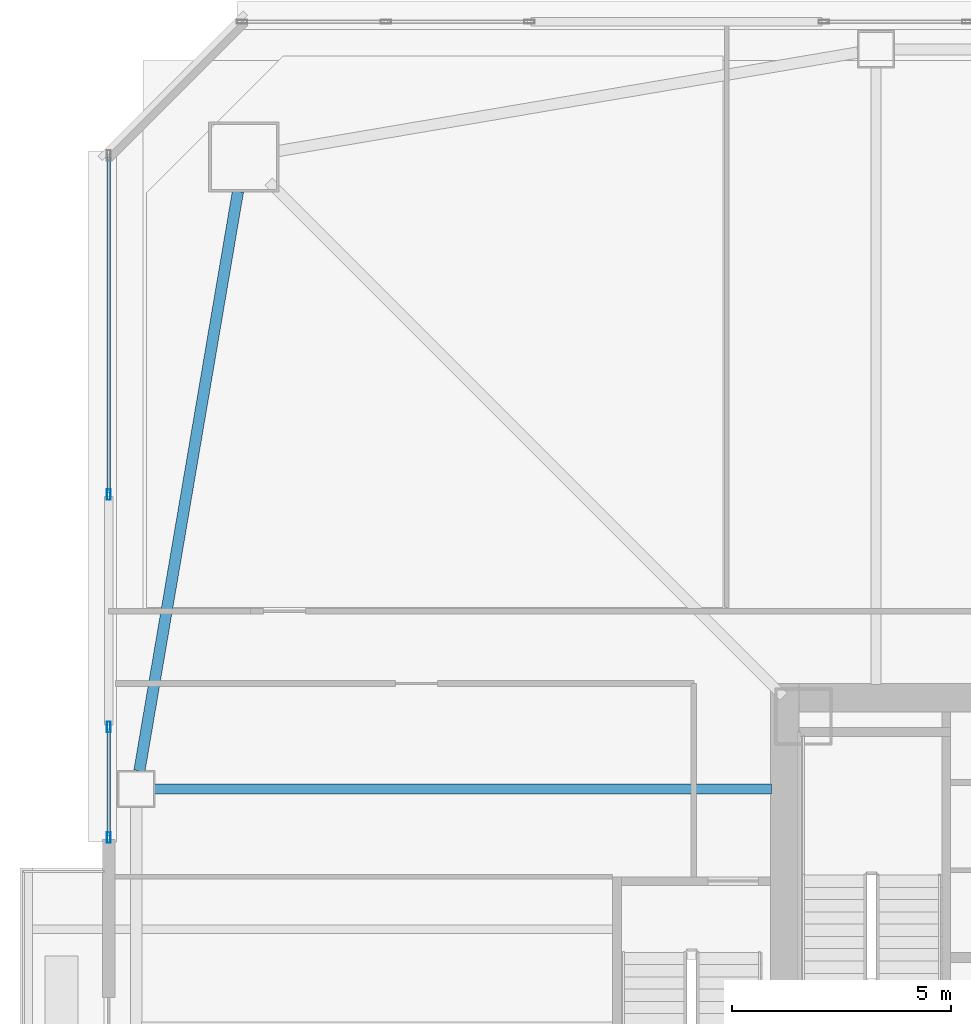
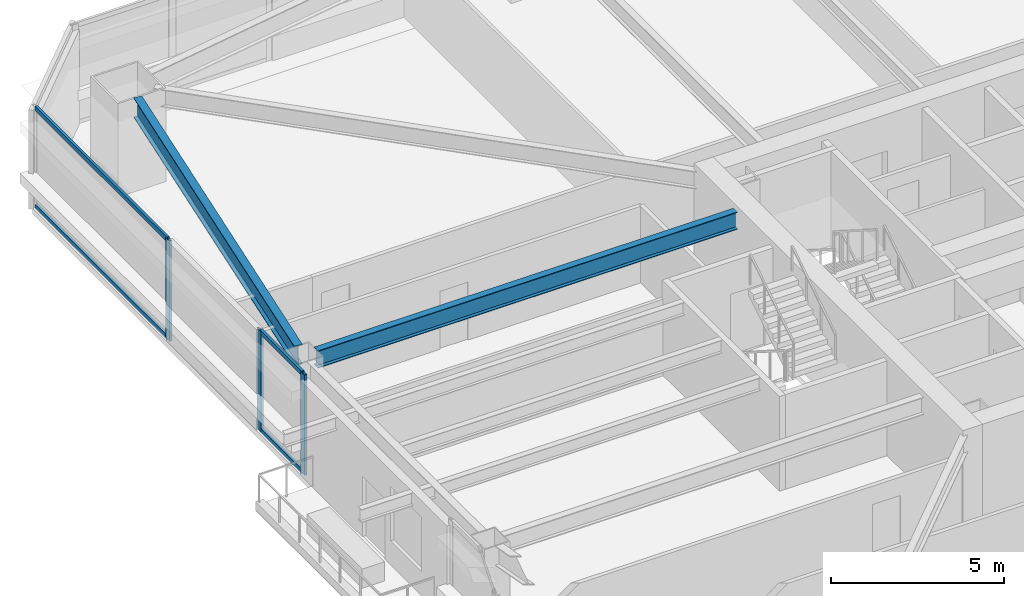
# One storey, part 11 of 47: 7 members, 2 beams, 2 elements without a shape of their own.
"""IFC4 building model written with IfcOpenShell, lengths in metres."""

from ifc_helpers import new_model, si_unit, direction, frame, origin, origin_2d, place, context, subcontext, project, spatial, hollow_rectangle, i_section, extrude, material, material_profile, profile_set, type_object, element, aggregate, save


model = new_model("IFC4")

# Units and contexts
model_context = context("Model", 3, precision=1e-05, world=origin(), true_north=direction((0.0, 1.0)))
body_context = subcontext(model_context, "Body", "Model", "MODEL_VIEW")
ifc_project = project(units=[si_unit("LENGTHUNIT", "METRE"), si_unit("AREAUNIT", "SQUARE_METRE"), si_unit("VOLUMEUNIT", "CUBIC_METRE"), si_unit("PLANEANGLEUNIT", "RADIAN"), si_unit("MASSUNIT", "GRAM", prefix="KILO")], contexts=[model_context])

# Site, building, storey
site_placement = place(None, origin())
site = spatial("IfcSite", under=ifc_project, at=site_placement, CompositionType="ELEMENT")
building_placement = place(site_placement, origin())
building = spatial("IfcBuilding", under=site, at=building_placement, Name="Tashvorn Skyway Center", CompositionType="ELEMENT")
storey_placement = place(building_placement, frame((0.0, 0.0, 42.35009765625)))
storey = spatial("IfcBuildingStorey", under=building, at=storey_placement, Name="L10", CompositionType="ELEMENT", Elevation=42.35009765625)

# Beams
ifc_material_1 = material(Name="Steel ASTM A992 Grade 50", Category="steel")
ifc_material_profile_1 = material_profile(ifc_material_1, i_section(OverallWidth=0.22998046875, OverallDepth=0.616943359375, WebThickness=0.01318359375, FlangeThickness=0.022216796875, at=origin_2d()), Name="W24X94")
ifc_profile_set_1 = profile_set([ifc_material_profile_1], Name="Steel ASTM A992 Grade 50")
beam_type_1 = type_object("IfcBeamType", Name="BM-BEAM-W24X94", PredefinedType="BEAM", material=ifc_profile_set_1)
beam_1_placement = place(storey_placement, frame((20.169921875, 37.39990234375, 3.04150390625), z_axis=(1.0, 0.0, 0.0), x_axis=(0.0, 1.0, 0.0)))
element("IfcBeam", 1, at=beam_1_placement, inside=storey, type_object=beam_type_1, Name="Tower 1 L10 Primary Floor Girder FC-W1", PredefinedType="BEAM", context=body_context, shape_type="SweptSolid", body=[
    extrude(i_section(OverallWidth=0.22998046875, OverallDepth=0.616943359375, WebThickness=0.01318359375, FlangeThickness=0.022216796875, at=origin_2d()), origin(), (0.0, 0.0, 1.0), 14.050048828125),
])
ifc_material_profile_2 = material_profile(ifc_material_1, i_section(OverallWidth=0.256103515625, OverallDepth=0.693115234375, WebThickness=0.014404296875, FlangeThickness=0.023681640625, at=origin_2d()), Name="W27X114")
ifc_profile_set_2 = profile_set([ifc_material_profile_2], Name="Steel ASTM A992 Grade 50")
beam_type_2 = type_object("IfcBeamType", Name="BM-SPANDREL-W27X114", PredefinedType="SPANDREL", material=ifc_profile_set_2)
beam_2_placement = place(storey_placement, frame((22.066650390625, 51.016357421875, 3.00341796875), z_axis=(-0.16771792509, -0.985835025551, 0.0), x_axis=(0.985835025551, -0.16771792509, 0.0)))
element("IfcBeam", 2, at=beam_2_placement, inside=storey, type_object=beam_type_2, Name="Tower 1 L10 Spandrel Beam 10", PredefinedType="SPANDREL", context=body_context, shape_type="SweptSolid", body=[
    extrude(i_section(OverallWidth=0.256103515625, OverallDepth=0.693115234375, WebThickness=0.014404296875, FlangeThickness=0.023681640625, at=origin_2d()), origin(), (0.0, 0.0, 1.0), 13.39208984375),
])

# Curtain wall, members
ifc_material_2 = material(Name="Thermally broken bronze-anodized aluminium 6063-T6", Category="aluminium")
curtain_wall_type = type_object("IfcCurtainWallType", Name="CW-CW-Z1", PredefinedType="NOTDEFINED", material=ifc_material_2)
curtain_wall_1_placement = place(storey_placement, origin())
curtain_wall_1 = element("IfcCurtainWall", 3, at=curtain_wall_1_placement, inside=storey, type_object=curtain_wall_type, Name="Tower 1 L10 West Curtain Wall R Glazing Group 1", PredefinedType="NOTDEFINED")
ifc_material_profile_3 = material_profile(ifc_material_2, hollow_rectangle(XDim=0.0849609375, YDim=0.239990234375, WallThickness=0.0048828125, at=origin_2d()), Name="ALU-MULL-85x240")
ifc_profile_set_3 = profile_set([ifc_material_profile_3], Name="Thermally broken bronze-anodized aluminium 6063-T6")
member_type_1 = type_object("IfcMemberType", Name="CWM-CW-Z1", PredefinedType="MULLION", material=ifc_profile_set_3)
member_1_placement = place(storey_placement, frame((19.1201171875, 36.29248046875, 0.0), z_axis=(0.0, 0.0, 1.0), x_axis=(-1.0, 0.0, 0.0)))
member_1 = element("IfcMember", 4, at=member_1_placement, type_object=member_type_1, Name="CW-Z1 mullion 1", PredefinedType="MULLION", context=body_context, shape_type="SweptSolid", body=[
    extrude(hollow_rectangle(XDim=0.0849609375, YDim=0.239990234375, WallThickness=0.0048828125, at=origin_2d()), origin(), (0.0, 0.0, 1.0), 3.5498046875),
])
member_2_placement = place(storey_placement, frame((19.1201171875, 38.8125, 0.0), z_axis=(0.0, 0.0, 1.0), x_axis=(-1.0, 0.0, 0.0)))
member_2 = element("IfcMember", 5, at=member_2_placement, type_object=member_type_1, Name="CW-Z1 mullion 2", PredefinedType="MULLION", context=body_context, shape_type="SweptSolid", body=[
    extrude(hollow_rectangle(XDim=0.0849609375, YDim=0.239990234375, WallThickness=0.0048828125, at=origin_2d()), origin(), (0.0, 0.0, 1.0), 3.5498046875),
])

# Curtain wall, member
curtain_wall_2_placement = place(storey_placement, origin())
curtain_wall_2 = element("IfcCurtainWall", 6, at=curtain_wall_2_placement, inside=storey, type_object=curtain_wall_type, Name="Tower 1 L10 West Curtain Wall R Glazing Group 2", PredefinedType="NOTDEFINED")
member_3_placement = place(storey_placement, frame((19.1201171875, 44.107421875, 0.0), z_axis=(0.0, 0.0, 1.0), x_axis=(-1.0, 0.0, 0.0)))
member_3 = element("IfcMember", 7, at=member_3_placement, type_object=member_type_1, Name="CW-Z1 mullion 1", PredefinedType="MULLION", context=body_context, shape_type="SweptSolid", body=[
    extrude(hollow_rectangle(XDim=0.0849609375, YDim=0.239990234375, WallThickness=0.0048828125, at=origin_2d()), origin(), (0.0, 0.0, 1.0), 3.5498046875),
])

# Member
ifc_material_profile_4 = material_profile(ifc_material_2, hollow_rectangle(XDim=0.0849609375, YDim=0.1650390625, WallThickness=0.0048828125, at=origin_2d()), Name="ALU-TRAN-85x165")
ifc_profile_set_4 = profile_set([ifc_material_profile_4], Name="Thermally broken bronze-anodized aluminium 6063-T6")
member_type_2 = type_object("IfcMemberType", Name="CWT-CW-Z1", PredefinedType="USERDEFINED", material=ifc_profile_set_4)
member_4_placement = place(storey_placement, frame((19.1201171875, 36.3349609375, 0.04248046875), z_axis=(0.0, 1.0, 0.0), x_axis=(-1.0, 0.0, 0.0)))
member_4 = element("IfcMember", 8, at=member_4_placement, type_object=member_type_2, Name="CW-Z1 transom 1.1", ObjectType="TRANSOM", PredefinedType="USERDEFINED", context=body_context, shape_type="SweptSolid", body=[
    extrude(hollow_rectangle(XDim=0.0849609375, YDim=0.1650390625, WallThickness=0.0048828125, at=origin_2d()), origin(), (0.0, 0.0, 1.0), 2.43505859375),
])

member_5_placement = place(storey_placement, frame((19.1201171875, 36.3349609375, 3.50732421875), z_axis=(0.0, 1.0, 0.0), x_axis=(-1.0, 0.0, 0.0)))
member_5 = element("IfcMember", 9, at=member_5_placement, type_object=member_type_2, Name="CW-Z1 transom 1.2", ObjectType="TRANSOM", PredefinedType="USERDEFINED", context=body_context, shape_type="SweptSolid", body=[
    extrude(hollow_rectangle(XDim=0.0849609375, YDim=0.1650390625, WallThickness=0.0048828125, at=origin_2d()), origin(), (0.0, 0.0, 1.0), 2.43505859375),
])

aggregate(curtain_wall_1, [member_1, member_2, member_4, member_5])

member_6_placement = place(storey_placement, frame((19.1201171875, 44.14990234375, 0.04248046875), z_axis=(0.0, 1.0, 0.0), x_axis=(-1.0, 0.0, 0.0)))
member_6 = element("IfcMember", 10, at=member_6_placement, type_object=member_type_2, Name="CW-Z1 transom 1.1", ObjectType="TRANSOM", PredefinedType="USERDEFINED", context=body_context, shape_type="SweptSolid", body=[
    extrude(hollow_rectangle(XDim=0.0849609375, YDim=0.1650390625, WallThickness=0.0048828125, at=origin_2d()), origin(), (0.0, 0.0, 1.0), 7.64501953125),
])

member_7_placement = place(storey_placement, frame((19.1201171875, 44.14990234375, 3.50732421875), z_axis=(0.0, 1.0, 0.0), x_axis=(-1.0, 0.0, 0.0)))
member_7 = element("IfcMember", 11, at=member_7_placement, type_object=member_type_2, Name="CW-Z1 transom 1.2", ObjectType="TRANSOM", PredefinedType="USERDEFINED", context=body_context, shape_type="SweptSolid", body=[
    extrude(hollow_rectangle(XDim=0.0849609375, YDim=0.1650390625, WallThickness=0.0048828125, at=origin_2d()), origin(), (0.0, 0.0, 1.0), 7.64501953125),
])

aggregate(curtain_wall_2, [member_3, member_6, member_7])

save(model, "model.ifc")
